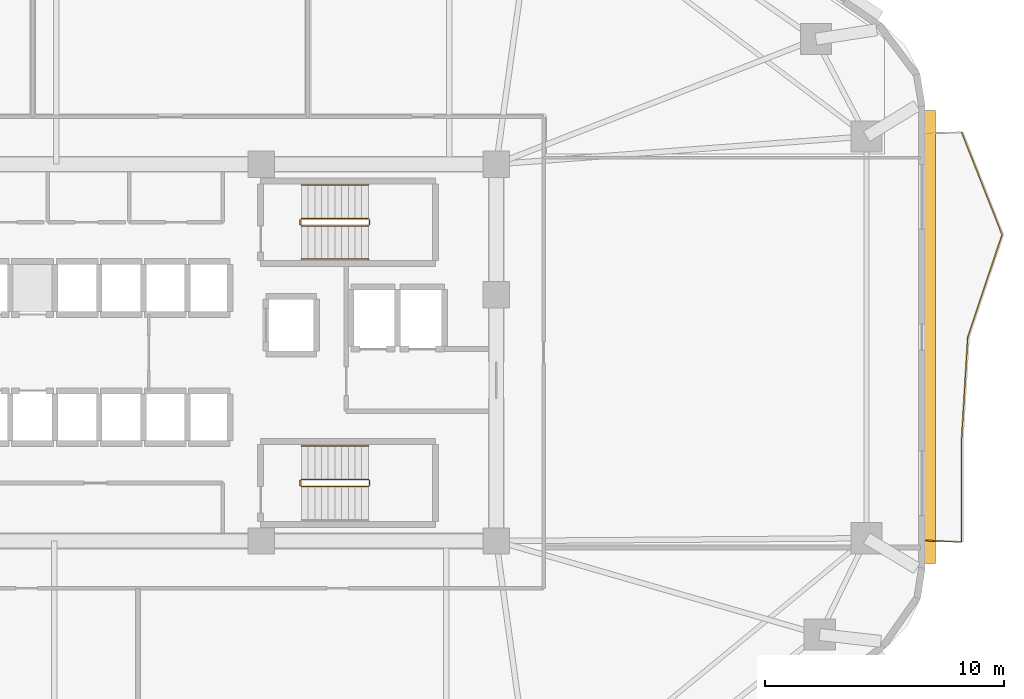
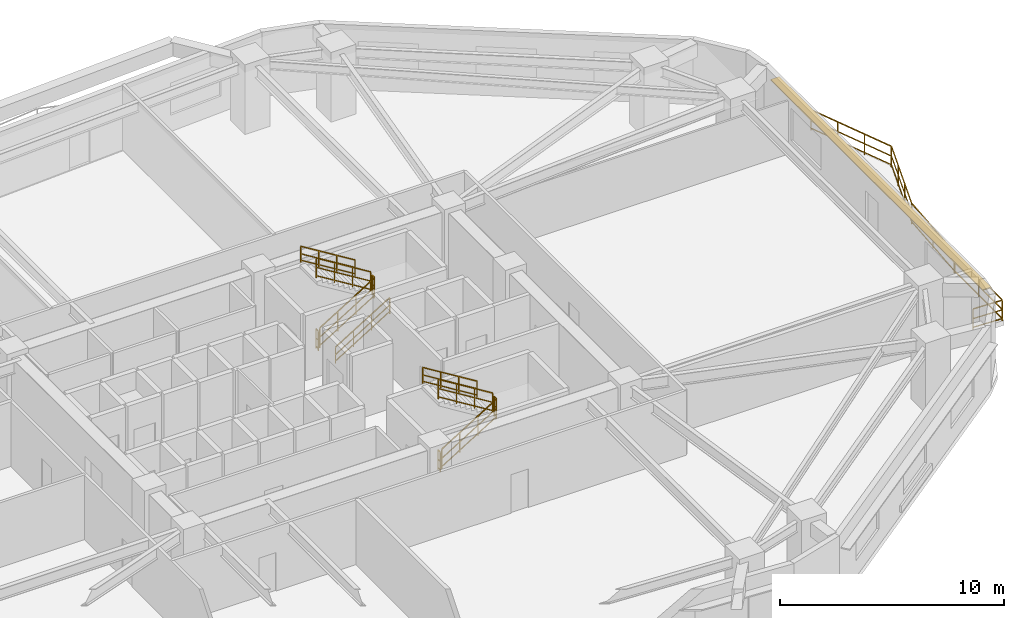
# One storey, part 8 of 10: 16 railings, 1 shading device.
"""IFC4 building model written with IfcOpenShell, lengths in metres."""

from ifc_helpers import new_model, si_unit, direction, frame, origin, origin_2d, place, context, subcontext, project, spatial, rectangle, extrude, material, layer, layer_set, type_object, element, save


model = new_model("IFC4")

# Units and contexts
model_context = context("Model", 3, precision=1e-05, world=origin(), true_north=direction((0.0, 1.0)))
body_context = subcontext(model_context, "Body", "Model", "MODEL_VIEW")
ifc_project = project(units=[si_unit("LENGTHUNIT", "METRE"), si_unit("AREAUNIT", "SQUARE_METRE"), si_unit("VOLUMEUNIT", "CUBIC_METRE"), si_unit("PLANEANGLEUNIT", "RADIAN"), si_unit("MASSUNIT", "GRAM", prefix="KILO")], contexts=[model_context])

# Site, building, storey
site_placement = place(None, origin())
site = spatial("IfcSite", under=ifc_project, at=site_placement, CompositionType="ELEMENT")
building_placement = place(site_placement, origin())
building = spatial("IfcBuilding", under=site, at=building_placement, Name="Zulverin Broadcast Headquarters", CompositionType="ELEMENT")
storey_placement = place(building_placement, frame((0.0, 0.0, 36.39990234375)))
storey = spatial("IfcBuildingStorey", under=building, at=storey_placement, Name="L08", CompositionType="ELEMENT", Elevation=36.39990234375)

# Railings
ifc_material_1 = material(Name="Brushed stainless steel & laminated glass balustrade", Category="steel")
railing_type_1 = type_object("IfcRailingType", Name="RL-GUARD-1150", PredefinedType="GUARDRAIL", material=ifc_material_1)
railing_1_placement = place(storey_placement, frame((66.239990234375, 17.343505859375, 0.0)))
element("IfcRailing", 1, at=railing_1_placement, inside=storey, type_object=railing_type_1, Name="L08 Vertical-Forest Balcony Guardrail BAL_E Segment 01", PredefinedType="GUARDRAIL", context=body_context, shape_type="SweptSolid", body=[
    extrude(rectangle(XDim=0.048095703125, YDim=0.048095703125, at=origin_2d()), frame((0.0, 0.0, 1.1259765625), z_axis=(0.999174410196, -0.040626321628, 0.0), x_axis=(0.040626321628, 0.999174410196, 0.0)), (0.0, 0.0, 1.0), 1.46630859375),
    extrude(rectangle(XDim=0.0419921875, YDim=0.0419921875, at=origin_2d()), frame((0.0, 0.0, 0.597900390625), z_axis=(0.999174410196, -0.040626321628, 0.0), x_axis=(0.040626321628, 0.999174410196, 0.0)), (0.0, 0.0, 1.0), 1.46630859375),
    extrude(rectangle(XDim=0.0419921875, YDim=0.0419921875, at=origin_2d()), frame((0.0, 0.0, 0.1201171875), z_axis=(0.999174410196, -0.040626321628, 0.0), x_axis=(0.040626321628, 0.999174410196, 0.0)), (0.0, 0.0, 1.0), 1.46630859375),
    extrude(rectangle(XDim=0.0419921875, YDim=0.0419921875, at=origin_2d()), origin(), (0.0, 0.0, 1.0), 1.101806640625),
    extrude(rectangle(XDim=0.0419921875, YDim=0.0419921875, at=origin_2d()), frame((1.465087890625, -0.0595703125, 0.0)), (0.0, 0.0, 1.0), 1.101806640625),
])
railing_2_placement = place(storey_placement, frame((67.719970703125, 17.29833984375, 0.0)))
element("IfcRailing", 2, at=railing_2_placement, inside=storey, type_object=railing_type_1, Name="L08 Vertical-Forest Balcony Guardrail BAL_E Segment 02", PredefinedType="GUARDRAIL", context=body_context, shape_type="SweptSolid", body=[
    extrude(rectangle(XDim=0.048095703125, YDim=0.048095703125, at=origin_2d()), frame((0.0, 0.0, 1.1259765625), z_axis=(0.0, 1.0, 0.0), x_axis=(-1.0, 0.0, 0.0)), (0.0, 0.0, 1.0), 4.2529296875),
    extrude(rectangle(XDim=0.0419921875, YDim=0.0419921875, at=origin_2d()), frame((0.0, 0.0, 0.597900390625), z_axis=(0.0, 1.0, 0.0), x_axis=(-1.0, 0.0, 0.0)), (0.0, 0.0, 1.0), 4.2529296875),
    extrude(rectangle(XDim=0.0419921875, YDim=0.0419921875, at=origin_2d()), frame((0.0, 0.0, 0.1201171875), z_axis=(0.0, 1.0, 0.0), x_axis=(-1.0, 0.0, 0.0)), (0.0, 0.0, 1.0), 4.2529296875),
    extrude(rectangle(XDim=0.0419921875, YDim=0.0419921875, at=origin_2d()), origin(), (0.0, 0.0, 1.0), 1.101806640625),
    extrude(rectangle(XDim=0.0419921875, YDim=0.0419921875, at=origin_2d()), frame((0.0, 2.12646484375, 0.0)), (0.0, 0.0, 1.0), 1.101806640625),
    extrude(rectangle(XDim=0.0419921875, YDim=0.0419921875, at=origin_2d()), frame((0.0, 4.2529296875, 0.0)), (0.0, 0.0, 1.0), 1.101806640625),
])
railing_3_placement = place(storey_placement, frame((67.720947265625, 21.581298828125, 0.0)))
element("IfcRailing", 3, at=railing_3_placement, inside=storey, type_object=railing_type_1, Name="L08 Vertical-Forest Balcony Guardrail BAL_E Segment 03", PredefinedType="GUARDRAIL", context=body_context, shape_type="SweptSolid", body=[
    extrude(rectangle(XDim=0.048095703125, YDim=0.048095703125, at=origin_2d()), frame((0.0, 0.0, 1.1259765625), z_axis=(0.060398173231, 0.998174363862, 0.0), x_axis=(-0.998174363862, 0.060398173231, 0.0)), (0.0, 0.0, 1.0), 4.260498046875),
    extrude(rectangle(XDim=0.0419921875, YDim=0.0419921875, at=origin_2d()), frame((0.0, 0.0, 0.597900390625), z_axis=(0.060398173231, 0.998174363862, 0.0), x_axis=(-0.998174363862, 0.060398173231, 0.0)), (0.0, 0.0, 1.0), 4.260498046875),
    extrude(rectangle(XDim=0.0419921875, YDim=0.0419921875, at=origin_2d()), frame((0.0, 0.0, 0.1201171875), z_axis=(0.060398173231, 0.998174363862, 0.0), x_axis=(-0.998174363862, 0.060398173231, 0.0)), (0.0, 0.0, 1.0), 4.260498046875),
    extrude(rectangle(XDim=0.0419921875, YDim=0.0419921875, at=origin_2d()), origin(), (0.0, 0.0, 1.0), 1.101806640625),
    extrude(rectangle(XDim=0.0419921875, YDim=0.0419921875, at=origin_2d()), frame((0.128662109375, 2.12646484375, 0.0)), (0.0, 0.0, 1.0), 1.101806640625),
    extrude(rectangle(XDim=0.0419921875, YDim=0.0419921875, at=origin_2d()), frame((0.25732421875, 4.252685546875, 0.0)), (0.0, 0.0, 1.0), 1.101806640625),
])
railing_4_placement = place(storey_placement, frame((67.98388671875, 25.863037109375, 0.0)))
element("IfcRailing", 4, at=railing_4_placement, inside=storey, type_object=railing_type_1, Name="L08 Vertical-Forest Balcony Guardrail BAL_E Segment 04", PredefinedType="GUARDRAIL", context=body_context, shape_type="SweptSolid", body=[
    extrude(rectangle(XDim=0.048095703125, YDim=0.048095703125, at=origin_2d()), frame((0.0, 0.0, 1.1259765625), z_axis=(0.317566060725, 0.948236150479, 0.0), x_axis=(-0.948236150479, 0.317566060725, 0.0)), (0.0, 0.0, 1.0), 4.486572265625),
    extrude(rectangle(XDim=0.0419921875, YDim=0.0419921875, at=origin_2d()), frame((0.0, 0.0, 0.597900390625), z_axis=(0.317566060725, 0.948236150479, 0.0), x_axis=(-0.948236150479, 0.317566060725, 0.0)), (0.0, 0.0, 1.0), 4.486572265625),
    extrude(rectangle(XDim=0.0419921875, YDim=0.0419921875, at=origin_2d()), frame((0.0, 0.0, 0.1201171875), z_axis=(0.317566060725, 0.948236150479, 0.0), x_axis=(-0.948236150479, 0.317566060725, 0.0)), (0.0, 0.0, 1.0), 4.486572265625),
    extrude(rectangle(XDim=0.0419921875, YDim=0.0419921875, at=origin_2d()), origin(), (0.0, 0.0, 1.0), 1.101806640625),
    extrude(rectangle(XDim=0.0419921875, YDim=0.0419921875, at=origin_2d()), frame((0.474853515625, 1.418212890625, 0.0)), (0.0, 0.0, 1.0), 1.101806640625),
    extrude(rectangle(XDim=0.0419921875, YDim=0.0419921875, at=origin_2d()), frame((0.949951171875, 2.836181640625, 0.0)), (0.0, 0.0, 1.0), 1.101806640625),
    extrude(rectangle(XDim=0.0419921875, YDim=0.0419921875, at=origin_2d()), frame((1.4248046875, 4.25439453125, 0.0)), (0.0, 0.0, 1.0), 1.101806640625),
])
railing_5_placement = place(storey_placement, frame((69.407958984375, 30.1455078125, 0.0)))
element("IfcRailing", 5, at=railing_5_placement, inside=storey, type_object=railing_type_1, Name="L08 Vertical-Forest Balcony Guardrail BAL_E Segment 05", PredefinedType="GUARDRAIL", context=body_context, shape_type="SweptSolid", body=[
    extrude(rectangle(XDim=0.048095703125, YDim=0.048095703125, at=origin_2d()), frame((0.0, 0.0, 1.1259765625), z_axis=(-0.367680351705, 0.929952234779, 0.0), x_axis=(-0.929952234779, -0.367680351705, 0.0)), (0.0, 0.0, 1.0), 4.57568359375),
    extrude(rectangle(XDim=0.0419921875, YDim=0.0419921875, at=origin_2d()), frame((0.0, 0.0, 0.597900390625), z_axis=(-0.367680351705, 0.929952234779, 0.0), x_axis=(-0.929952234779, -0.367680351705, 0.0)), (0.0, 0.0, 1.0), 4.57568359375),
    extrude(rectangle(XDim=0.0419921875, YDim=0.0419921875, at=origin_2d()), frame((0.0, 0.0, 0.1201171875), z_axis=(-0.367680351705, 0.929952234779, 0.0), x_axis=(-0.929952234779, -0.367680351705, 0.0)), (0.0, 0.0, 1.0), 4.57568359375),
    extrude(rectangle(XDim=0.0419921875, YDim=0.0419921875, at=origin_2d()), origin(), (0.0, 0.0, 1.0), 1.101806640625),
    extrude(rectangle(XDim=0.0419921875, YDim=0.0419921875, at=origin_2d()), frame((-0.560791015625, 1.41845703125, 0.0)), (0.0, 0.0, 1.0), 1.101806640625),
    extrude(rectangle(XDim=0.0419921875, YDim=0.0419921875, at=origin_2d()), frame((-1.12158203125, 2.836669921875, 0.0)), (0.0, 0.0, 1.0), 1.101806640625),
    extrude(rectangle(XDim=0.0419921875, YDim=0.0419921875, at=origin_2d()), frame((-1.682373046875, 4.255126953125, 0.0)), (0.0, 0.0, 1.0), 1.101806640625),
])
ifc_material_2 = material(Name="Painted galvanized steel tubular guardrail S355JR", Category="steel")
railing_type_2 = type_object("IfcRailingType", Name="RL-ST-GUARD", PredefinedType="GUARDRAIL", material=ifc_material_2)
railing_6_placement = place(storey_placement, frame((40.1298828125, 30.5, 0.1728515625)))
element("IfcRailing", 6, at=railing_6_placement, inside=storey, type_object=railing_type_2, Name="L08 ST-1 stair guard 1", PredefinedType="GUARDRAIL", context=body_context, shape_type="SweptSolid", body=[
    extrude(rectangle(XDim=0.048095703125, YDim=0.048095703125, at=origin_2d()), frame((0.0, 0.0, 1.076171875), z_axis=(0.851089632645, 0.0, 0.525020415988), x_axis=(0.0, 1.0, 0.0)), (0.0, 0.0, 1.0), 3.2900390625),
    extrude(rectangle(XDim=0.0419921875, YDim=0.0419921875, at=origin_2d()), frame((0.0, 0.0, 0.572021484375), z_axis=(0.851089632645, 0.0, 0.525020415988), x_axis=(0.0, 1.0, 0.0)), (0.0, 0.0, 1.0), 3.2900390625),
    extrude(rectangle(XDim=0.0419921875, YDim=0.0419921875, at=origin_2d()), frame((0.0, 0.0, 0.1201171875), z_axis=(0.851089632645, 0.0, 0.525020415988), x_axis=(0.0, 1.0, 0.0)), (0.0, 0.0, 1.0), 3.2900390625),
    extrude(rectangle(XDim=0.0419921875, YDim=0.0419921875, at=origin_2d()), origin(), (0.0, 0.0, 1.0), 1.052001953125),
    extrude(rectangle(XDim=0.0419921875, YDim=0.0419921875, at=origin_2d()), frame((0.933349609375, 0.0, 0.57568359375)), (0.0, 0.0, 1.0), 1.052001953125),
    extrude(rectangle(XDim=0.0419921875, YDim=0.0419921875, at=origin_2d()), frame((1.86669921875, 0.0, 1.151611328125)), (0.0, 0.0, 1.0), 1.052001953125),
    extrude(rectangle(XDim=0.0419921875, YDim=0.0419921875, at=origin_2d()), frame((2.800048828125, 0.0, 1.727294921875)), (0.0, 0.0, 1.0), 1.052001953125),
])
railing_7_placement = place(storey_placement, frame((42.97998046875, 30.550048828125, 1.900146484375)))
element("IfcRailing", 7, at=railing_7_placement, inside=storey, type_object=railing_type_2, Name="L08 ST-1 stair guard 2", PredefinedType="GUARDRAIL", context=body_context, shape_type="SweptSolid", body=[
    extrude(rectangle(XDim=0.048095703125, YDim=0.048095703125, at=origin_2d()), frame((0.0, 0.0, 1.076171875), z_axis=(0.0, 1.0, 0.0), x_axis=(-1.0, 0.0, 0.0)), (0.0, 0.0, 1.0), 0.199951171875),
    extrude(rectangle(XDim=0.0419921875, YDim=0.0419921875, at=origin_2d()), frame((0.0, 0.0, 0.572021484375), z_axis=(0.0, 1.0, 0.0), x_axis=(-1.0, 0.0, 0.0)), (0.0, 0.0, 1.0), 0.199951171875),
    extrude(rectangle(XDim=0.0419921875, YDim=0.0419921875, at=origin_2d()), frame((0.0, 0.0, 0.1201171875), z_axis=(0.0, 1.0, 0.0), x_axis=(-1.0, 0.0, 0.0)), (0.0, 0.0, 1.0), 0.199951171875),
    extrude(rectangle(XDim=0.0419921875, YDim=0.0419921875, at=origin_2d()), origin(), (0.0, 0.0, 1.0), 1.052001953125),
    extrude(rectangle(XDim=0.0419921875, YDim=0.0419921875, at=origin_2d()), frame((0.0, 0.199951171875, 0.0)), (0.0, 0.0, 1.0), 1.052001953125),
])
railing_8_placement = place(storey_placement, frame((42.929931640625, 30.800048828125, 2.07275390625)))
element("IfcRailing", 8, at=railing_8_placement, inside=storey, type_object=railing_type_2, Name="L08 ST-1 stair guard 3", PredefinedType="GUARDRAIL", context=body_context, shape_type="SweptSolid", body=[
    extrude(rectangle(XDim=0.048095703125, YDim=0.048095703125, at=origin_2d()), frame((0.0, 0.0, 1.076171875), z_axis=(-0.851089632645, 0.0, 0.525020415988), x_axis=(0.0, -1.0, 0.0)), (0.0, 0.0, 1.0), 3.2900390625),
    extrude(rectangle(XDim=0.0419921875, YDim=0.0419921875, at=origin_2d()), frame((0.0, 0.0, 0.572021484375), z_axis=(-0.851089632645, 0.0, 0.525020415988), x_axis=(0.0, -1.0, 0.0)), (0.0, 0.0, 1.0), 3.2900390625),
    extrude(rectangle(XDim=0.0419921875, YDim=0.0419921875, at=origin_2d()), frame((0.0, 0.0, 0.1201171875), z_axis=(-0.851089632645, 0.0, 0.525020415988), x_axis=(0.0, -1.0, 0.0)), (0.0, 0.0, 1.0), 3.2900390625),
    extrude(rectangle(XDim=0.0419921875, YDim=0.0419921875, at=origin_2d()), origin(), (0.0, 0.0, 1.0), 1.052001953125),
    extrude(rectangle(XDim=0.0419921875, YDim=0.0419921875, at=origin_2d()), frame((-0.933349609375, 0.0, 0.57568359375)), (0.0, 0.0, 1.0), 1.052001953125),
    extrude(rectangle(XDim=0.0419921875, YDim=0.0419921875, at=origin_2d()), frame((-1.86669921875, 0.0, 1.151611328125)), (0.0, 0.0, 1.0), 1.052001953125),
    extrude(rectangle(XDim=0.0419921875, YDim=0.0419921875, at=origin_2d()), frame((-2.800048828125, 0.0, 1.727294921875)), (0.0, 0.0, 1.0), 1.052001953125),
])
railing_9_placement = place(storey_placement, frame((40.080078125, 30.550048828125, 0.0)))
element("IfcRailing", 9, at=railing_9_placement, inside=storey, type_object=railing_type_2, Name="L08 ST-1 stair guard 4", PredefinedType="GUARDRAIL", context=body_context, shape_type="SweptSolid", body=[
    extrude(rectangle(XDim=0.048095703125, YDim=0.048095703125, at=origin_2d()), frame((0.0, 0.0, 1.076171875), z_axis=(0.0, 1.0, 0.0), x_axis=(-1.0, 0.0, 0.0)), (0.0, 0.0, 1.0), 0.199951171875),
    extrude(rectangle(XDim=0.0419921875, YDim=0.0419921875, at=origin_2d()), frame((0.0, 0.0, 0.572021484375), z_axis=(0.0, 1.0, 0.0), x_axis=(-1.0, 0.0, 0.0)), (0.0, 0.0, 1.0), 0.199951171875),
    extrude(rectangle(XDim=0.0419921875, YDim=0.0419921875, at=origin_2d()), frame((0.0, 0.0, 0.1201171875), z_axis=(0.0, 1.0, 0.0), x_axis=(-1.0, 0.0, 0.0)), (0.0, 0.0, 1.0), 0.199951171875),
    extrude(rectangle(XDim=0.0419921875, YDim=0.0419921875, at=origin_2d()), origin(), (0.0, 0.0, 1.0), 1.052001953125),
    extrude(rectangle(XDim=0.0419921875, YDim=0.0419921875, at=origin_2d()), frame((0.0, 0.199951171875, 0.0)), (0.0, 0.0, 1.0), 1.052001953125),
])
railing_10_placement = place(storey_placement, frame((40.1298828125, 19.60009765625, 0.1728515625)))
element("IfcRailing", 10, at=railing_10_placement, inside=storey, type_object=railing_type_2, Name="L08 ST-2 stair guard 1", PredefinedType="GUARDRAIL", context=body_context, shape_type="SweptSolid", body=[
    extrude(rectangle(XDim=0.048095703125, YDim=0.048095703125, at=origin_2d()), frame((0.0, 0.0, 1.076171875), z_axis=(0.851089632645, 0.0, 0.525020415988), x_axis=(0.0, 1.0, 0.0)), (0.0, 0.0, 1.0), 3.2900390625),
    extrude(rectangle(XDim=0.0419921875, YDim=0.0419921875, at=origin_2d()), frame((0.0, 0.0, 0.572021484375), z_axis=(0.851089632645, 0.0, 0.525020415988), x_axis=(0.0, 1.0, 0.0)), (0.0, 0.0, 1.0), 3.2900390625),
    extrude(rectangle(XDim=0.0419921875, YDim=0.0419921875, at=origin_2d()), frame((0.0, 0.0, 0.1201171875), z_axis=(0.851089632645, 0.0, 0.525020415988), x_axis=(0.0, 1.0, 0.0)), (0.0, 0.0, 1.0), 3.2900390625),
    extrude(rectangle(XDim=0.0419921875, YDim=0.0419921875, at=origin_2d()), origin(), (0.0, 0.0, 1.0), 1.052001953125),
    extrude(rectangle(XDim=0.0419921875, YDim=0.0419921875, at=origin_2d()), frame((0.933349609375, 0.0, 0.57568359375)), (0.0, 0.0, 1.0), 1.052001953125),
    extrude(rectangle(XDim=0.0419921875, YDim=0.0419921875, at=origin_2d()), frame((1.86669921875, 0.0, 1.151611328125)), (0.0, 0.0, 1.0), 1.052001953125),
    extrude(rectangle(XDim=0.0419921875, YDim=0.0419921875, at=origin_2d()), frame((2.800048828125, 0.0, 1.727294921875)), (0.0, 0.0, 1.0), 1.052001953125),
])
railing_11_placement = place(storey_placement, frame((42.97998046875, 19.64990234375, 1.900146484375)))
element("IfcRailing", 11, at=railing_11_placement, inside=storey, type_object=railing_type_2, Name="L08 ST-2 stair guard 2", PredefinedType="GUARDRAIL", context=body_context, shape_type="SweptSolid", body=[
    extrude(rectangle(XDim=0.048095703125, YDim=0.048095703125, at=origin_2d()), frame((0.0, 0.0, 1.076171875), z_axis=(0.0, 1.0, 0.0), x_axis=(-1.0, 0.0, 0.0)), (0.0, 0.0, 1.0), 0.2001953125),
    extrude(rectangle(XDim=0.0419921875, YDim=0.0419921875, at=origin_2d()), frame((0.0, 0.0, 0.572021484375), z_axis=(0.0, 1.0, 0.0), x_axis=(-1.0, 0.0, 0.0)), (0.0, 0.0, 1.0), 0.2001953125),
    extrude(rectangle(XDim=0.0419921875, YDim=0.0419921875, at=origin_2d()), frame((0.0, 0.0, 0.1201171875), z_axis=(0.0, 1.0, 0.0), x_axis=(-1.0, 0.0, 0.0)), (0.0, 0.0, 1.0), 0.2001953125),
    extrude(rectangle(XDim=0.0419921875, YDim=0.0419921875, at=origin_2d()), origin(), (0.0, 0.0, 1.0), 1.052001953125),
    extrude(rectangle(XDim=0.0419921875, YDim=0.0419921875, at=origin_2d()), frame((0.0, 0.2001953125, 0.0)), (0.0, 0.0, 1.0), 1.052001953125),
])
railing_12_placement = place(storey_placement, frame((42.929931640625, 19.89990234375, 2.07275390625)))
element("IfcRailing", 12, at=railing_12_placement, inside=storey, type_object=railing_type_2, Name="L08 ST-2 stair guard 3", PredefinedType="GUARDRAIL", context=body_context, shape_type="SweptSolid", body=[
    extrude(rectangle(XDim=0.048095703125, YDim=0.048095703125, at=origin_2d()), frame((0.0, 0.0, 1.076171875), z_axis=(-0.851089632645, 0.0, 0.525020415988), x_axis=(0.0, -1.0, 0.0)), (0.0, 0.0, 1.0), 3.2900390625),
    extrude(rectangle(XDim=0.0419921875, YDim=0.0419921875, at=origin_2d()), frame((0.0, 0.0, 0.572021484375), z_axis=(-0.851089632645, 0.0, 0.525020415988), x_axis=(0.0, -1.0, 0.0)), (0.0, 0.0, 1.0), 3.2900390625),
    extrude(rectangle(XDim=0.0419921875, YDim=0.0419921875, at=origin_2d()), frame((0.0, 0.0, 0.1201171875), z_axis=(-0.851089632645, 0.0, 0.525020415988), x_axis=(0.0, -1.0, 0.0)), (0.0, 0.0, 1.0), 3.2900390625),
    extrude(rectangle(XDim=0.0419921875, YDim=0.0419921875, at=origin_2d()), origin(), (0.0, 0.0, 1.0), 1.052001953125),
    extrude(rectangle(XDim=0.0419921875, YDim=0.0419921875, at=origin_2d()), frame((-0.933349609375, 0.0, 0.57568359375)), (0.0, 0.0, 1.0), 1.052001953125),
    extrude(rectangle(XDim=0.0419921875, YDim=0.0419921875, at=origin_2d()), frame((-1.86669921875, 0.0, 1.151611328125)), (0.0, 0.0, 1.0), 1.052001953125),
    extrude(rectangle(XDim=0.0419921875, YDim=0.0419921875, at=origin_2d()), frame((-2.800048828125, 0.0, 1.727294921875)), (0.0, 0.0, 1.0), 1.052001953125),
])
railing_13_placement = place(storey_placement, frame((40.080078125, 19.64990234375, 0.0)))
element("IfcRailing", 13, at=railing_13_placement, inside=storey, type_object=railing_type_2, Name="L08 ST-2 stair guard 4", PredefinedType="GUARDRAIL", context=body_context, shape_type="SweptSolid", body=[
    extrude(rectangle(XDim=0.048095703125, YDim=0.048095703125, at=origin_2d()), frame((0.0, 0.0, 1.076171875), z_axis=(0.0, 1.0, 0.0), x_axis=(-1.0, 0.0, 0.0)), (0.0, 0.0, 1.0), 0.2001953125),
    extrude(rectangle(XDim=0.0419921875, YDim=0.0419921875, at=origin_2d()), frame((0.0, 0.0, 0.572021484375), z_axis=(0.0, 1.0, 0.0), x_axis=(-1.0, 0.0, 0.0)), (0.0, 0.0, 1.0), 0.2001953125),
    extrude(rectangle(XDim=0.0419921875, YDim=0.0419921875, at=origin_2d()), frame((0.0, 0.0, 0.1201171875), z_axis=(0.0, 1.0, 0.0), x_axis=(-1.0, 0.0, 0.0)), (0.0, 0.0, 1.0), 0.2001953125),
    extrude(rectangle(XDim=0.0419921875, YDim=0.0419921875, at=origin_2d()), origin(), (0.0, 0.0, 1.0), 1.052001953125),
    extrude(rectangle(XDim=0.0419921875, YDim=0.0419921875, at=origin_2d()), frame((0.0, 0.2001953125, 0.0)), (0.0, 0.0, 1.0), 1.052001953125),
])
ifc_material_3 = material(Name="Brushed stainless steel 48 mm handrail", Category="steel")
railing_type_3 = type_object("IfcRailingType", Name="RL-ST-HAND", PredefinedType="HANDRAIL", material=ifc_material_3)
railing_14_placement = place(storey_placement, frame((40.1298828125, 29.10009765625, 0.1728515625)))
element("IfcRailing", 14, at=railing_14_placement, inside=storey, type_object=railing_type_3, Name="L08 ST-1 stair handrail 1", PredefinedType="HANDRAIL", context=body_context, shape_type="SweptSolid", body=[
    extrude(rectangle(XDim=0.048095703125, YDim=0.048095703125, at=origin_2d()), frame((0.0, 0.0, 0.8759765625), z_axis=(0.851089632645, 0.0, 0.525020415988), x_axis=(0.0, 1.0, 0.0)), (0.0, 0.0, 1.0), 3.2900390625),
    extrude(rectangle(XDim=0.0419921875, YDim=0.0419921875, at=origin_2d()), frame((0.0, 0.0, 0.468017578125), z_axis=(0.851089632645, 0.0, 0.525020415988), x_axis=(0.0, 1.0, 0.0)), (0.0, 0.0, 1.0), 3.2900390625),
    extrude(rectangle(XDim=0.0419921875, YDim=0.0419921875, at=origin_2d()), frame((0.0, 0.0, 0.1201171875), z_axis=(0.851089632645, 0.0, 0.525020415988), x_axis=(0.0, 1.0, 0.0)), (0.0, 0.0, 1.0), 3.2900390625),
    extrude(rectangle(XDim=0.0419921875, YDim=0.0419921875, at=origin_2d()), origin(), (0.0, 0.0, 1.0), 0.851806640625),
    extrude(rectangle(XDim=0.0419921875, YDim=0.0419921875, at=origin_2d()), frame((0.933349609375, 0.0, 0.57568359375)), (0.0, 0.0, 1.0), 0.851806640625),
    extrude(rectangle(XDim=0.0419921875, YDim=0.0419921875, at=origin_2d()), frame((1.86669921875, 0.0, 1.151611328125)), (0.0, 0.0, 1.0), 0.851806640625),
    extrude(rectangle(XDim=0.0419921875, YDim=0.0419921875, at=origin_2d()), frame((2.800048828125, 0.0, 1.727294921875)), (0.0, 0.0, 1.0), 0.851806640625),
])
for number, where, name in (
    (15, (42.929931640625, 32.199951171875, 2.07275390625), "L08 ST-1 stair handrail 2"),
    (16, (42.929931640625, 21.300048828125, 2.07275390625), "L08 ST-2 stair handrail 2"),
):
    element("IfcRailing", number, at=place(storey_placement, frame(where)), inside=storey, type_object=railing_type_3, Name=name, PredefinedType="HANDRAIL", context=body_context, shape_type="SweptSolid", body=[
        extrude(rectangle(XDim=0.048095703125, YDim=0.048095703125, at=origin_2d()), frame((0.0, 0.0, 0.8759765625), z_axis=(-0.851089632645, 0.0, 0.525020415988), x_axis=(0.0, -1.0, 0.0)), (0.0, 0.0, 1.0), 3.2900390625),
        extrude(rectangle(XDim=0.0419921875, YDim=0.0419921875, at=origin_2d()), frame((0.0, 0.0, 0.468017578125), z_axis=(-0.851089632645, 0.0, 0.525020415988), x_axis=(0.0, -1.0, 0.0)), (0.0, 0.0, 1.0), 3.2900390625),
        extrude(rectangle(XDim=0.0419921875, YDim=0.0419921875, at=origin_2d()), frame((0.0, 0.0, 0.1201171875), z_axis=(-0.851089632645, 0.0, 0.525020415988), x_axis=(0.0, -1.0, 0.0)), (0.0, 0.0, 1.0), 3.2900390625),
        extrude(rectangle(XDim=0.0419921875, YDim=0.0419921875, at=origin_2d()), origin(), (0.0, 0.0, 1.0), 0.851806640625),
        extrude(rectangle(XDim=0.0419921875, YDim=0.0419921875, at=origin_2d()), frame((-0.933349609375, 0.0, 0.57568359375)), (0.0, 0.0, 1.0), 0.851806640625),
        extrude(rectangle(XDim=0.0419921875, YDim=0.0419921875, at=origin_2d()), frame((-1.86669921875, 0.0, 1.151611328125)), (0.0, 0.0, 1.0), 0.851806640625),
        extrude(rectangle(XDim=0.0419921875, YDim=0.0419921875, at=origin_2d()), frame((-2.800048828125, 0.0, 1.727294921875)), (0.0, 0.0, 1.0), 0.851806640625),
    ])

# Shading device
ifc_material_4 = material(Name="Anodized pale-metal aluminium sunshade", Category="aluminium")
ifc_layer = layer(ifc_material_4, 0.06005859375, Name="Anodized pale-metal aluminium sunshade", Category="aluminium")
ifc_layer_set = layer_set([ifc_layer], Name="Anodized pale-metal aluminium sunshade")
shading_device_type = type_object("IfcShadingDeviceType", Name="SS-01_PALE_METAL_ALUMINIUM_SUNSHADE", PredefinedType="USERDEFINED", material=ifc_layer_set)
shading_device_placement = place(storey_placement, frame((66.39990234375, 25.848876953125, 2.7099609375), z_axis=(0.0, 0.0, 1.0), x_axis=(0.0, 1.0, 0.0)))
element("IfcShadingDevice", 17, at=shading_device_placement, inside=storey, type_object=shading_device_type, Name="L08 Horizontal Pale-Metal Sunshade Band 3", ObjectType="SUNSHADE", PredefinedType="USERDEFINED", context=body_context, shape_type="SweptSolid", body=[
    extrude(rectangle(XDim=18.93115234375, YDim=0.449951171875, at=origin_2d()), origin(), (0.0, 0.0, 1.0), 0.06005859375),
])

save(model, "model.ifc")
